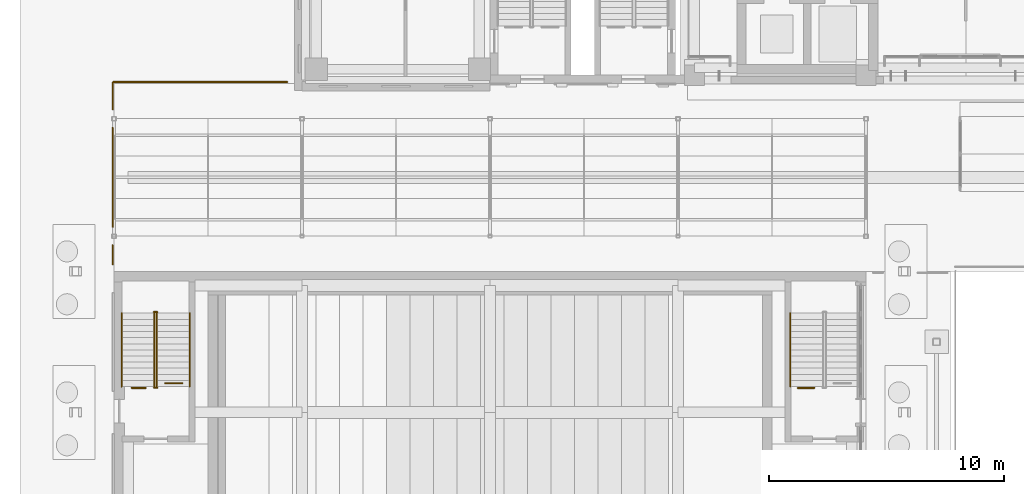
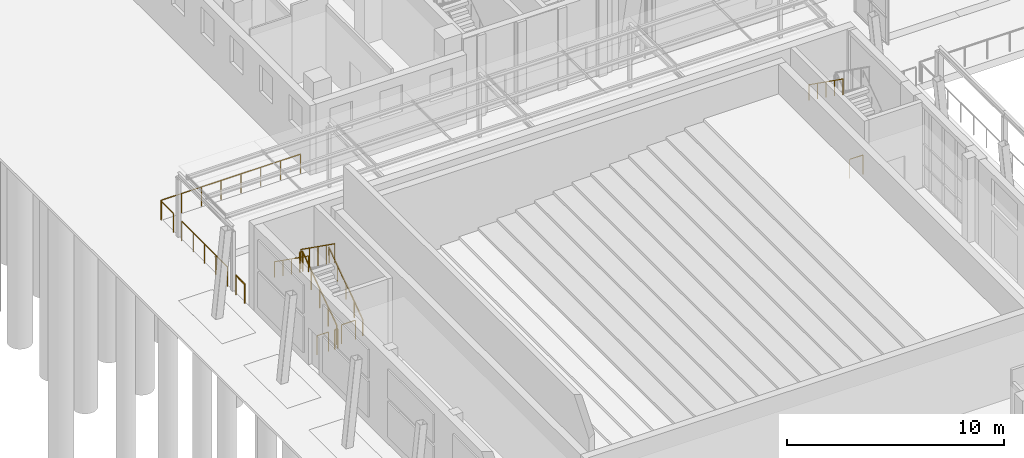
# One storey, part 120 of 144: 13 railings.
"""IFC4 building model written with IfcOpenShell, lengths in metres."""

import ifcopenshell
import ifcopenshell.guid

model = None  # the IFC model being written
_history = None  # IfcOwnerHistory: only IFC2X3 demands one
_inside = {}  # id of a spatial element -> (the spatial element, [elements in it])
_under = {}  # id of a project, library or spatial element -> (it, [spatial elements below it])
_declared = {}  # id of a project -> (the project, [libraries it declares])
_typed = {}  # id of a type object -> (the type object, [elements of that type])
_made_of = {}  # id of a material, layer set ... -> (it, [elements and type objects made of it])


def new_model(schema):
    """Start an empty IFC model of exactly this schema.

    Asked for "IFC4X3", IfcOpenShell would pick the latest addendum, in which some entities
    have other attributes; the version numbers below select the first issue.
    IFC2X3 requires an IfcOwnerHistory on every rooted entity: one is made here for all.
    """
    global model, _history
    if schema == "IFC4X3":
        model = ifcopenshell.file(schema_version=(4, 3, 0, 0))
    else:
        model = ifcopenshell.file(schema=schema)
    _inside.clear()
    _under.clear()
    _declared.clear()
    _typed.clear()
    _made_of.clear()
    _history = None
    if model.schema == "IFC2X3":
        org = make("IfcOrganization", Name="unknown")
        user = make(
            "IfcPersonAndOrganization",
            ThePerson=make("IfcPerson", FamilyName="unknown"),
            TheOrganization=org,
        )
        app = make(
            "IfcApplication",
            ApplicationDeveloper=org,
            Version="unknown",
            ApplicationFullName="unknown",
            ApplicationIdentifier="unknown",
        )
        _history = make(
            "IfcOwnerHistory",
            OwningUser=user,
            OwningApplication=app,
            ChangeAction="ADDED",
            CreationDate=0,
        )
    return model


def make(cls, **values):
    """One entity of the class cls with the attributes given. An attribute that is None is left unset."""
    return model.create_entity(
        cls, **{name: value for name, value in values.items() if value is not None}
    )


def rooted(cls, **values):
    """An entity with a GlobalId (a new one), such as an element, a storey or a relation."""
    return make(cls, GlobalId=ifcopenshell.guid.new(), OwnerHistory=_history, **values)


def si_unit(unit_type, name, prefix=None):
    """IfcSIUnit, for example si_unit("LENGTHUNIT", "METRE", prefix="MILLI")."""
    return make("IfcSIUnit", UnitType=unit_type, Prefix=prefix, Name=name)


def assignment(units):
    """IfcUnitAssignment: the units of a project."""
    return None if units is None else make("IfcUnitAssignment", Units=units)


def point(xyz):
    """IfcCartesianPoint."""
    return None if xyz is None else make("IfcCartesianPoint", Coordinates=xyz)


def direction(xyz):
    """IfcDirection."""
    return None if xyz is None else make("IfcDirection", DirectionRatios=xyz)


def frame(location, z_axis=None, x_axis=None):
    """IfcAxis2Placement3D, a coordinate frame: its origin and axes. An axis left out is left unset."""
    return make(
        "IfcAxis2Placement3D",
        Location=point(location),
        Axis=direction(z_axis),
        RefDirection=direction(x_axis),
    )


def frame_2d(location, x_axis=None):
    """IfcAxis2Placement2D, a coordinate frame in the plane: its origin and x axis."""
    return make(
        "IfcAxis2Placement2D", Location=point(location), RefDirection=direction(x_axis)
    )


def origin():
    """The frame at (0, 0, 0) with its axes left unset."""
    return frame((0.0, 0.0, 0.0))


def origin_2d():
    """The frame at (0, 0) in the plane with its x axis left unset."""
    return frame_2d((0.0, 0.0))


def place(relative_to, where):
    """IfcLocalPlacement: puts the frame where relative to a parent placement (None: the world)."""
    return make(
        "IfcLocalPlacement", PlacementRelTo=relative_to, RelativePlacement=where
    )


def context(
    kind, dimensions, precision=None, world=None, true_north=None, identifier=None
):
    """IfcGeometricRepresentationContext, for example the 3D "Model" context."""
    return make(
        "IfcGeometricRepresentationContext",
        ContextIdentifier=identifier,
        ContextType=kind,
        CoordinateSpaceDimension=dimensions,
        Precision=precision,
        WorldCoordinateSystem=world,
        TrueNorth=true_north,
    )


def subcontext(parent, identifier, kind, view, scale=None):
    """IfcGeometricRepresentationSubContext, for example "Body" below "Model"."""
    return make(
        "IfcGeometricRepresentationSubContext",
        ContextIdentifier=identifier,
        ContextType=kind,
        ParentContext=parent,
        TargetScale=scale,
        TargetView=view,
    )


def project(units=None, contexts=None):
    """IfcProject with its units and contexts."""
    return rooted(
        "IfcProject",
        Name="project",
        RepresentationContexts=contexts,
        UnitsInContext=assignment(units),
    )


def spatial(cls, under=None, at=None, **own):
    """A site, building, storey or space (cls), placed at a placement, below another one or the project."""
    s = rooted(cls, ObjectPlacement=at, **own)
    if under is not None:
        _under.setdefault(under.id(), (under, []))[1].append(s)
    return s


def profile(cls, at=None, kind="AREA", **sizes):
    """A parametric profile (cls). Its sizes go by their IFC names, for example OverallWidth=200.0."""
    return make(cls, ProfileType=kind, Position=at, **sizes)


def circle(**sizes):
    """IfcCircleProfileDef."""
    return profile("IfcCircleProfileDef", **sizes)


def extrude(swept, where, along, depth):
    """IfcExtrudedAreaSolid: the profile swept, set in the frame where, extruded along a direction by depth."""
    return make(
        "IfcExtrudedAreaSolid",
        SweptArea=swept,
        Position=where,
        ExtrudedDirection=direction(along),
        Depth=depth,
    )


def shape(context_of_items, identifier, shape_type, items):
    """IfcShapeRepresentation: the items that make up one representation, for example the "Body"."""
    return make(
        "IfcShapeRepresentation",
        ContextOfItems=context_of_items,
        RepresentationIdentifier=identifier,
        RepresentationType=shape_type,
        Items=items,
    )


def material(Name=None, Category=None):
    """IfcMaterial."""
    return make("IfcMaterial", Name=Name, Category=Category)


def made_of(thing, what):
    """Note that an element or type object is made of a material, layer set ...; save() writes the relation."""
    if what is not None:
        _made_of.setdefault(what.id(), (what, []))[1].append(thing)
    return thing


def type_object(cls, material=None, **own):
    """A type object (cls), such as IfcWallType, which elements share."""
    return made_of(rooted(cls, **own), material)


def element(
    cls,
    number,
    at=None,
    inside=None,
    cuts=None,
    type_object=None,
    material=None,
    context=None,
    identifier="Body",
    shape_type=None,
    held_by="IfcProductDefinitionShape",
    body=None,
    shapes=None,
    **own,
):
    """One element of the class cls, such as IfcWall. Its Tag is "e" and its number.

    at: its placement. inside: the storey or other place that contains it. cuts: it is an
    opening in that element (IfcRelVoidsElement). A single representation is given by context,
    identifier, shape_type and body (its items); several are given by shapes. held_by: the class
    of the entity that holds the representations. save() writes the other relations.
    """
    e = rooted(cls, Tag="e%d" % number, ObjectPlacement=at, **own)
    if body is not None:
        shapes = [shape(context, identifier, shape_type, body)]
    if shapes is not None:
        e.Representation = make(held_by, Representations=shapes)
    if inside is not None:
        _inside.setdefault(inside.id(), (inside, []))[1].append(e)
    if cuts is not None:
        rooted(
            "IfcRelVoidsElement", RelatingBuildingElement=cuts, RelatedOpeningElement=e
        )
    if type_object is not None:
        _typed.setdefault(type_object.id(), (type_object, []))[1].append(e)
    return made_of(e, material)


def aggregate(whole, parts):
    """IfcRelAggregates: a whole, such as a stair, and the parts it consists of."""
    return rooted("IfcRelAggregates", RelatingObject=whole, RelatedObjects=parts)


def save(model, path):
    """Write the relations noted so far, then the file.

    IfcRelAggregates (storeys below a building ...), IfcRelContainedInSpatialStructure (elements
    in a storey), IfcRelDefinesByType, IfcRelAssociatesMaterial and IfcRelDeclares: one each for
    every whole, place, type object, material and project.
    """
    for whole, parts in _under.values():
        aggregate(whole, parts)
    for where, things in _inside.values():
        rooted(
            "IfcRelContainedInSpatialStructure",
            RelatedElements=things,
            RelatingStructure=where,
        )
    for kind, things in _typed.values():
        rooted("IfcRelDefinesByType", RelatedObjects=things, RelatingType=kind)
    for what, things in _made_of.values():
        rooted("IfcRelAssociatesMaterial", RelatedObjects=things, RelatingMaterial=what)
    for by, libraries in _declared.values():
        rooted("IfcRelDeclares", RelatingContext=by, RelatedDefinitions=libraries)
    model.write(path)


model = new_model("IFC4")

# Units and contexts
model_context = context("Model", 3, precision=1e-05, world=origin(), true_north=direction((0.0, 1.0)))
body_context = subcontext(model_context, "Body", "Model", "MODEL_VIEW")
ifc_project = project(units=[si_unit("LENGTHUNIT", "METRE"), si_unit("AREAUNIT", "SQUARE_METRE"), si_unit("VOLUMEUNIT", "CUBIC_METRE"), si_unit("PLANEANGLEUNIT", "RADIAN"), si_unit("MASSUNIT", "GRAM", prefix="KILO")], contexts=[model_context])

# Site, building, storey
site_placement = place(None, origin())
site = spatial("IfcSite", under=ifc_project, at=site_placement, CompositionType="ELEMENT")
building_placement = place(site_placement, origin())
building = spatial("IfcBuilding", under=site, at=building_placement, Name="Lantern Court Media Centre", CompositionType="ELEMENT")
storey_placement = place(building_placement, origin())
storey = spatial("IfcBuildingStorey", under=building, at=storey_placement, Name="L00", CompositionType="ELEMENT", Elevation=0.0)

# Railings
ifc_material = material(Name="Powder-coated steel", Category="steel")
railing_type_1 = type_object("IfcRailingType", Name="Floor edge guard 1100", PredefinedType="GUARDRAIL", material=ifc_material)
railing_1_placement = place(storey_placement, frame((0.75, 35.040283203125, 0.0)))
element("IfcRailing", 1, at=railing_1_placement, inside=storey, type_object=railing_type_1, Name="L00 opening guard 1", PredefinedType="GUARDRAIL", context=body_context, shape_type="SweptSolid", body=[
    extrude(circle(Radius=0.02392578125, at=origin_2d()), frame((0.0, 0.0, 1.076171875), z_axis=(1.0, 0.0, 0.0), x_axis=(0.0, 1.0, 0.0)), (0.0, 0.0, 1.0), 0.603759765625),
    extrude(circle(Radius=0.02099609375, at=origin_2d()), origin(), (0.0, 0.0, 1.0), 1.052001953125),
    extrude(circle(Radius=0.02099609375, at=origin_2d()), frame((0.603759765625, 0.0, 0.0)), (0.0, 0.0, 1.0), 1.052001953125),
])
railing_2_placement = place(storey_placement, frame((2.176025390625, 35.240478515625, 0.0)))
element("IfcRailing", 2, at=railing_2_placement, inside=storey, type_object=railing_type_1, Name="L00 opening guard 2", PredefinedType="GUARDRAIL", context=body_context, shape_type="SweptSolid", body=[
    extrude(circle(Radius=0.02392578125, at=origin_2d()), frame((0.0, 0.0, 1.076171875), z_axis=(1.0, 0.0, 0.0), x_axis=(0.0, 1.0, 0.0)), (0.0, 0.0, 1.0), 0.723876953125),
    extrude(circle(Radius=0.02099609375, at=origin_2d()), origin(), (0.0, 0.0, 1.0), 1.052001953125),
    extrude(circle(Radius=0.02099609375, at=origin_2d()), frame((0.723876953125, 0.0, 0.0)), (0.0, 0.0, 1.0), 1.052001953125),
])
railing_3_placement = place(storey_placement, frame((29.10009765625, 35.040283203125, 0.0)))
element("IfcRailing", 3, at=railing_3_placement, inside=storey, type_object=railing_type_1, Name="L00 opening guard 3", PredefinedType="GUARDRAIL", context=body_context, shape_type="SweptSolid", body=[
    extrude(circle(Radius=0.02392578125, at=origin_2d()), frame((0.0, 0.0, 1.076171875), z_axis=(1.0, 0.0, 0.0), x_axis=(0.0, 1.0, 0.0)), (0.0, 0.0, 1.0), 0.70361328125),
    extrude(circle(Radius=0.02099609375, at=origin_2d()), origin(), (0.0, 0.0, 1.0), 1.052001953125),
    extrude(circle(Radius=0.02099609375, at=origin_2d()), frame((0.70361328125, 0.0, 0.0)), (0.0, 0.0, 1.0), 1.052001953125),
])
railing_4_placement = place(storey_placement, frame((7.3798828125, 48.06005859375, 0.0)))
element("IfcRailing", 4, at=railing_4_placement, inside=storey, type_object=railing_type_1, Name="L00 opening guard 28", PredefinedType="GUARDRAIL", context=body_context, shape_type="SweptSolid", body=[
    extrude(circle(Radius=0.02392578125, at=origin_2d()), frame((0.0, 0.0, 1.076171875), z_axis=(-1.0, 0.0, 0.0), x_axis=(0.0, -1.0, 0.0)), (0.0, 0.0, 1.0), 7.3798828125),
    extrude(circle(Radius=0.02392578125, at=origin_2d()), frame((-7.3798828125, 0.0, 1.076171875), z_axis=(-0.999133073092, -0.041630544712, 0.0), x_axis=(0.041630544712, -0.999133073092, 0.0)), (0.0, 0.0, 1.0), 0.005859375),
    extrude(circle(Radius=0.02392578125, at=origin_2d()), frame((-7.3857421875, -0.000244140625, 1.076171875), z_axis=(-0.986393923832, -0.164398987305, 0.0), x_axis=(0.164398987305, -0.986393923832, 0.0)), (0.0, 0.0, 1.0), 0.005859375),
    extrude(circle(Radius=0.02392578125, at=origin_2d()), frame((-7.3916015625, -0.001220703125, 1.076171875), z_axis=(-0.967617272397, -0.252421897147, 0.0), x_axis=(0.252421897147, -0.967617272397, 0.0)), (0.0, 0.0, 1.0), 0.005859375),
    extrude(circle(Radius=0.02392578125, at=origin_2d()), frame((-7.397216796875, -0.002685546875, 1.076171875), z_axis=(-0.944496796706, -0.328520624941, 0.0), x_axis=(0.328520624941, -0.944496796706, 0.0)), (0.0, 0.0, 1.0), 0.005859375),
    extrude(circle(Radius=0.02392578125, at=origin_2d()), frame((-7.40283203125, -0.004638671875, 1.076171875), z_axis=(-0.910366477463, -0.413802944301, 0.0), x_axis=(0.413802944301, -0.910366477463, 0.0)), (0.0, 0.0, 1.0), 0.005859375),
    extrude(circle(Radius=0.02392578125, at=origin_2d()), frame((-7.408203125, -0.007080078125, 1.076171875), z_axis=(-0.850265146688, -0.526354614616, 0.0), x_axis=(0.526354614616, -0.850265146688, 0.0)), (0.0, 0.0, 1.0), 0.006103515625),
    extrude(circle(Radius=0.02392578125, at=origin_2d()), frame((-7.413330078125, -0.01025390625, 1.076171875), z_axis=(-0.805055837353, -0.59319903805, 0.0), x_axis=(0.59319903805, -0.805055837353, 0.0)), (0.0, 0.0, 1.0), 0.005859375),
    extrude(circle(Radius=0.02392578125, at=origin_2d()), frame((-7.41796875, -0.013671875, 1.076171875), z_axis=(-0.747409318684, -0.66436383883, 0.0), x_axis=(0.66436383883, -0.747409318684, 0.0)), (0.0, 0.0, 1.0), 0.005859375),
    extrude(circle(Radius=0.02392578125, at=origin_2d()), frame((-7.42236328125, -0.017578125, 1.076171875), z_axis=(-0.66436383883, -0.747409318684, 0.0), x_axis=(0.747409318684, -0.66436383883, 0.0)), (0.0, 0.0, 1.0), 0.005859375),
    extrude(circle(Radius=0.02392578125, at=origin_2d()), frame((-7.42626953125, -0.02197265625, 1.076171875), z_axis=(-0.59319903805, -0.805055837353, 0.0), x_axis=(0.805055837353, -0.59319903805, 0.0)), (0.0, 0.0, 1.0), 0.005859375),
    extrude(circle(Radius=0.02392578125, at=origin_2d()), frame((-7.4296875, -0.026611328125, 1.076171875), z_axis=(-0.526354614616, -0.850265146688, 0.0), x_axis=(0.850265146688, -0.526354614616, 0.0)), (0.0, 0.0, 1.0), 0.006103515625),
    extrude(circle(Radius=0.02392578125, at=origin_2d()), frame((-7.432861328125, -0.03173828125, 1.076171875), z_axis=(-0.413802944301, -0.910366477463, 0.0), x_axis=(0.910366477463, -0.413802944301, 0.0)), (0.0, 0.0, 1.0), 0.005859375),
    extrude(circle(Radius=0.02392578125, at=origin_2d()), frame((-7.435302734375, -0.037109375, 1.076171875), z_axis=(-0.328520624941, -0.944496796706, 0.0), x_axis=(0.944496796706, -0.328520624941, 0.0)), (0.0, 0.0, 1.0), 0.005859375),
    extrude(circle(Radius=0.02392578125, at=origin_2d()), frame((-7.437255859375, -0.042724609375, 1.076171875), z_axis=(-0.252421897147, -0.967617272397, 0.0), x_axis=(0.967617272397, -0.252421897147, 0.0)), (0.0, 0.0, 1.0), 0.005859375),
    extrude(circle(Radius=0.02392578125, at=origin_2d()), frame((-7.438720703125, -0.04833984375, 1.076171875), z_axis=(-0.164398987305, -0.986393923832, 0.0), x_axis=(0.986393923832, -0.164398987305, 0.0)), (0.0, 0.0, 1.0), 0.005859375),
    extrude(circle(Radius=0.02392578125, at=origin_2d()), frame((-7.439697265625, -0.05419921875, 1.076171875), z_axis=(-0.041630544712, -0.999133073092, 0.0), x_axis=(0.999133073092, -0.041630544712, 0.0)), (0.0, 0.0, 1.0), 0.005859375),
    extrude(circle(Radius=0.02392578125, at=origin_2d()), frame((-7.43994140625, -0.06005859375, 1.076171875), z_axis=(0.0, -1.0, 0.0), x_axis=(1.0, 0.0, 0.0)), (0.0, 0.0, 1.0), 1.110107421875),
    extrude(circle(Radius=0.02099609375, at=origin_2d()), origin(), (0.0, 0.0, 1.0), 1.052001953125),
    extrude(circle(Radius=0.02099609375, at=origin_2d()), frame((-1.05419921875, 0.0, 0.0)), (0.0, 0.0, 1.0), 1.052001953125),
    extrude(circle(Radius=0.02099609375, at=origin_2d()), frame((-2.108642578125, 0.0, 0.0)), (0.0, 0.0, 1.0), 1.052001953125),
    extrude(circle(Radius=0.02099609375, at=origin_2d()), frame((-3.162841796875, 0.0, 0.0)), (0.0, 0.0, 1.0), 1.052001953125),
    extrude(circle(Radius=0.02099609375, at=origin_2d()), frame((-4.217041015625, 0.0, 0.0)), (0.0, 0.0, 1.0), 1.052001953125),
    extrude(circle(Radius=0.02099609375, at=origin_2d()), frame((-5.271240234375, 0.0, 0.0)), (0.0, 0.0, 1.0), 1.052001953125),
    extrude(circle(Radius=0.02099609375, at=origin_2d()), frame((-6.32568359375, 0.0, 0.0)), (0.0, 0.0, 1.0), 1.052001953125),
    extrude(circle(Radius=0.02099609375, at=origin_2d()), frame((-7.3798828125, 0.0, 0.0)), (0.0, 0.0, 1.0), 1.052001953125),
    extrude(circle(Radius=0.02099609375, at=origin_2d()), frame((-7.3857421875, -0.000244140625, 0.0)), (0.0, 0.0, 1.0), 1.052001953125),
    extrude(circle(Radius=0.02099609375, at=origin_2d()), frame((-7.3916015625, -0.001220703125, 0.0)), (0.0, 0.0, 1.0), 1.052001953125),
    extrude(circle(Radius=0.02099609375, at=origin_2d()), frame((-7.397216796875, -0.002685546875, 0.0)), (0.0, 0.0, 1.0), 1.052001953125),
    extrude(circle(Radius=0.02099609375, at=origin_2d()), frame((-7.40283203125, -0.004638671875, 0.0)), (0.0, 0.0, 1.0), 1.052001953125),
    extrude(circle(Radius=0.02099609375, at=origin_2d()), frame((-7.408203125, -0.007080078125, 0.0)), (0.0, 0.0, 1.0), 1.052001953125),
    extrude(circle(Radius=0.02099609375, at=origin_2d()), frame((-7.413330078125, -0.01025390625, 0.0)), (0.0, 0.0, 1.0), 1.052001953125),
    extrude(circle(Radius=0.02099609375, at=origin_2d()), frame((-7.41796875, -0.013671875, 0.0)), (0.0, 0.0, 1.0), 1.052001953125),
    extrude(circle(Radius=0.02099609375, at=origin_2d()), frame((-7.42236328125, -0.017578125, 0.0)), (0.0, 0.0, 1.0), 1.052001953125),
    extrude(circle(Radius=0.02099609375, at=origin_2d()), frame((-7.42626953125, -0.02197265625, 0.0)), (0.0, 0.0, 1.0), 1.052001953125),
    extrude(circle(Radius=0.02099609375, at=origin_2d()), frame((-7.4296875, -0.026611328125, 0.0)), (0.0, 0.0, 1.0), 1.052001953125),
    extrude(circle(Radius=0.02099609375, at=origin_2d()), frame((-7.432861328125, -0.03173828125, 0.0)), (0.0, 0.0, 1.0), 1.052001953125),
    extrude(circle(Radius=0.02099609375, at=origin_2d()), frame((-7.435302734375, -0.037109375, 0.0)), (0.0, 0.0, 1.0), 1.052001953125),
    extrude(circle(Radius=0.02099609375, at=origin_2d()), frame((-7.437255859375, -0.042724609375, 0.0)), (0.0, 0.0, 1.0), 1.052001953125),
    extrude(circle(Radius=0.02099609375, at=origin_2d()), frame((-7.438720703125, -0.04833984375, 0.0)), (0.0, 0.0, 1.0), 1.052001953125),
    extrude(circle(Radius=0.02099609375, at=origin_2d()), frame((-7.439697265625, -0.05419921875, 0.0)), (0.0, 0.0, 1.0), 1.052001953125),
    extrude(circle(Radius=0.02099609375, at=origin_2d()), frame((-7.43994140625, -0.06005859375, 0.0)), (0.0, 0.0, 1.0), 1.052001953125),
    extrude(circle(Radius=0.02099609375, at=origin_2d()), frame((-7.43994140625, -1.170166015625, 0.0)), (0.0, 0.0, 1.0), 1.052001953125),
])
railing_5_placement = place(storey_placement, frame((-0.06005859375, 46.110107421875, 0.0)))
element("IfcRailing", 5, at=railing_5_placement, inside=storey, type_object=railing_type_1, Name="L00 opening guard 29", PredefinedType="GUARDRAIL", context=body_context, shape_type="SweptSolid", body=[
    extrude(circle(Radius=0.02392578125, at=origin_2d()), frame((0.0, 0.0, 1.076171875), z_axis=(0.0, -1.0, 0.0), x_axis=(1.0, 0.0, 0.0)), (0.0, 0.0, 1.0), 4.22021484375),
    extrude(circle(Radius=0.02099609375, at=origin_2d()), origin(), (0.0, 0.0, 1.0), 1.052001953125),
    extrude(circle(Radius=0.02099609375, at=origin_2d()), frame((0.0, -1.05517578125, 0.0)), (0.0, 0.0, 1.0), 1.052001953125),
    extrude(circle(Radius=0.02099609375, at=origin_2d()), frame((0.0, -2.110107421875, 0.0)), (0.0, 0.0, 1.0), 1.052001953125),
    extrude(circle(Radius=0.02099609375, at=origin_2d()), frame((0.0, -3.1650390625, 0.0)), (0.0, 0.0, 1.0), 1.052001953125),
    extrude(circle(Radius=0.02099609375, at=origin_2d()), frame((0.0, -4.22021484375, 0.0)), (0.0, 0.0, 1.0), 1.052001953125),
])
railing_6_placement = place(storey_placement, frame((-0.06005859375, 41.110107421875, 0.0)))
element("IfcRailing", 6, at=railing_6_placement, inside=storey, type_object=railing_type_1, Name="L00 opening guard 30", PredefinedType="GUARDRAIL", context=body_context, shape_type="SweptSolid", body=[
    extrude(circle(Radius=0.02392578125, at=origin_2d()), frame((0.0, 0.0, 1.076171875), z_axis=(0.0, -1.0, 0.0), x_axis=(1.0, 0.0, 0.0)), (0.0, 0.0, 1.0), 0.81005859375),
    extrude(circle(Radius=0.02099609375, at=origin_2d()), origin(), (0.0, 0.0, 1.0), 1.052001953125),
    extrude(circle(Radius=0.02099609375, at=origin_2d()), frame((0.0, -0.81005859375, 0.0)), (0.0, 0.0, 1.0), 1.052001953125),
])
railing_type_2 = type_object("IfcRailingType", Name="Stair guard 1100", PredefinedType="GUARDRAIL", material=ifc_material)
railing_7_placement = place(storey_placement, frame((1.825927734375, 35.10009765625, 0.1845703125)))
element("IfcRailing", 7, at=railing_7_placement, inside=storey, type_object=railing_type_2, Name="L00 ST-V1-ST-W stair guard 1", PredefinedType="GUARDRAIL", context=body_context, shape_type="SweptSolid", body=[
    extrude(circle(Radius=0.02392578125, at=origin_2d()), frame((0.0, 0.0, 1.076171875), z_axis=(0.0, 0.815355575968, 0.57896052088), x_axis=(-1.0, 0.0, 0.0)), (0.0, 0.0, 1.0), 3.826416015625),
    extrude(circle(Radius=0.02099609375, at=origin_2d()), origin(), (0.0, 0.0, 1.0), 1.052001953125),
    extrude(circle(Radius=0.02099609375, at=origin_2d()), frame((0.0, 0.780029296875, 0.5537109375)), (0.0, 0.0, 1.0), 1.052001953125),
    extrude(circle(Radius=0.02099609375, at=origin_2d()), frame((0.0, 1.56005859375, 1.107666015625)), (0.0, 0.0, 1.0), 1.052001953125),
    extrude(circle(Radius=0.02099609375, at=origin_2d()), frame((0.0, 2.33984375, 1.66162109375)), (0.0, 0.0, 1.0), 1.052001953125),
    extrude(circle(Radius=0.02099609375, at=origin_2d()), frame((0.0, 3.119873046875, 2.21533203125)), (0.0, 0.0, 1.0), 1.052001953125),
])
railing_8_placement = place(storey_placement, frame((1.85009765625, 38.27001953125, 2.39990234375)))
element("IfcRailing", 8, at=railing_8_placement, inside=storey, type_object=railing_type_2, Name="L00 ST-V1-ST-W stair guard 2", PredefinedType="GUARDRAIL", context=body_context, shape_type="SweptSolid", body=[
    extrude(circle(Radius=0.02392578125, at=origin_2d()), frame((0.0, 0.0, 1.076171875), z_axis=(-1.0, 0.0, 0.0), x_axis=(0.0, -1.0, 0.0)), (0.0, 0.0, 1.0), 0.150146484375),
    extrude(circle(Radius=0.02099609375, at=origin_2d()), origin(), (0.0, 0.0, 1.0), 1.052001953125),
    extrude(circle(Radius=0.02099609375, at=origin_2d()), frame((-0.150146484375, 0.0, 0.0)), (0.0, 0.0, 1.0), 1.052001953125),
])
railing_9_placement = place(storey_placement, frame((1.72412109375, 38.219970703125, 2.584716796875)))
element("IfcRailing", 9, at=railing_9_placement, inside=storey, type_object=railing_type_2, Name="L00 ST-V1-ST-W stair guard 3", PredefinedType="GUARDRAIL", context=body_context, shape_type="SweptSolid", body=[
    extrude(circle(Radius=0.02392578125, at=origin_2d()), frame((0.0, 0.0, 1.076171875), z_axis=(0.0, -0.815355575968, 0.57896052088), x_axis=(1.0, 0.0, 0.0)), (0.0, 0.0, 1.0), 3.826416015625),
    extrude(circle(Radius=0.02099609375, at=origin_2d()), origin(), (0.0, 0.0, 1.0), 1.052001953125),
    extrude(circle(Radius=0.02099609375, at=origin_2d()), frame((0.0, -0.780029296875, 0.5537109375)), (0.0, 0.0, 1.0), 1.052001953125),
    extrude(circle(Radius=0.02099609375, at=origin_2d()), frame((0.0, -1.56005859375, 1.107666015625)), (0.0, 0.0, 1.0), 1.052001953125),
    extrude(circle(Radius=0.02099609375, at=origin_2d()), frame((0.0, -2.33984375, 1.66162109375)), (0.0, 0.0, 1.0), 1.052001953125),
    extrude(circle(Radius=0.02099609375, at=origin_2d()), frame((0.0, -3.119873046875, 2.21533203125)), (0.0, 0.0, 1.0), 1.052001953125),
])
railing_10_placement = place(storey_placement, frame((1.85009765625, 35.050048828125, 0.0)))
element("IfcRailing", 10, at=railing_10_placement, inside=storey, type_object=railing_type_2, Name="L00 ST-V1-ST-W stair guard 4", PredefinedType="GUARDRAIL", context=body_context, shape_type="SweptSolid", body=[
    extrude(circle(Radius=0.02392578125, at=origin_2d()), frame((0.0, 0.0, 1.076171875), z_axis=(-1.0, 0.0, 0.0), x_axis=(0.0, -1.0, 0.0)), (0.0, 0.0, 1.0), 0.150146484375),
    extrude(circle(Radius=0.02099609375, at=origin_2d()), origin(), (0.0, 0.0, 1.0), 1.052001953125),
    extrude(circle(Radius=0.02099609375, at=origin_2d()), frame((-0.150146484375, 0.0, 0.0)), (0.0, 0.0, 1.0), 1.052001953125),
])
railing_type_3 = type_object("IfcRailingType", Name="Stair handrail 900", PredefinedType="HANDRAIL", material=ifc_material)
railing_11_placement = place(storey_placement, frame((3.22412109375, 35.10009765625, 0.1845703125)))
element("IfcRailing", 11, at=railing_11_placement, inside=storey, type_object=railing_type_3, Name="L00 ST-V1-ST-W stair handrail 1", PredefinedType="HANDRAIL", context=body_context, shape_type="SweptSolid", body=[
    extrude(circle(Radius=0.02392578125, at=origin_2d()), frame((0.0, 0.0, 0.8759765625), z_axis=(0.0, 0.815355575968, 0.57896052088), x_axis=(-1.0, 0.0, 0.0)), (0.0, 0.0, 1.0), 3.826416015625),
    extrude(circle(Radius=0.02099609375, at=origin_2d()), origin(), (0.0, 0.0, 1.0), 0.851806640625),
    extrude(circle(Radius=0.02099609375, at=origin_2d()), frame((0.0, 0.780029296875, 0.5537109375)), (0.0, 0.0, 1.0), 0.851806640625),
    extrude(circle(Radius=0.02099609375, at=origin_2d()), frame((0.0, 1.56005859375, 1.107666015625)), (0.0, 0.0, 1.0), 0.851806640625),
    extrude(circle(Radius=0.02099609375, at=origin_2d()), frame((0.0, 2.33984375, 1.66162109375)), (0.0, 0.0, 1.0), 0.851806640625),
    extrude(circle(Radius=0.02099609375, at=origin_2d()), frame((0.0, 3.119873046875, 2.21533203125)), (0.0, 0.0, 1.0), 0.851806640625),
])
for number, where, name in (
    (12, (0.325927734375, 38.219970703125, 2.584716796875), "L00 ST-V1-ST-W stair handrail 2"),
    (13, (28.77587890625, 38.219970703125, 2.584716796875), "L00 ST-V1-ST-E stair handrail 2"),
):
    element("IfcRailing", number, at=place(storey_placement, frame(where)), inside=storey, type_object=railing_type_3, Name=name, PredefinedType="HANDRAIL", context=body_context, shape_type="SweptSolid", body=[
        extrude(circle(Radius=0.02392578125, at=origin_2d()), frame((0.0, 0.0, 0.8759765625), z_axis=(0.0, -0.815355575968, 0.57896052088), x_axis=(1.0, 0.0, 0.0)), (0.0, 0.0, 1.0), 3.826416015625),
        extrude(circle(Radius=0.02099609375, at=origin_2d()), origin(), (0.0, 0.0, 1.0), 0.851806640625),
        extrude(circle(Radius=0.02099609375, at=origin_2d()), frame((0.0, -0.780029296875, 0.5537109375)), (0.0, 0.0, 1.0), 0.851806640625),
        extrude(circle(Radius=0.02099609375, at=origin_2d()), frame((0.0, -1.56005859375, 1.107666015625)), (0.0, 0.0, 1.0), 0.851806640625),
        extrude(circle(Radius=0.02099609375, at=origin_2d()), frame((0.0, -2.33984375, 1.66162109375)), (0.0, 0.0, 1.0), 0.851806640625),
        extrude(circle(Radius=0.02099609375, at=origin_2d()), frame((0.0, -3.119873046875, 2.21533203125)), (0.0, 0.0, 1.0), 0.851806640625),
    ])

save(model, "model.ifc")
